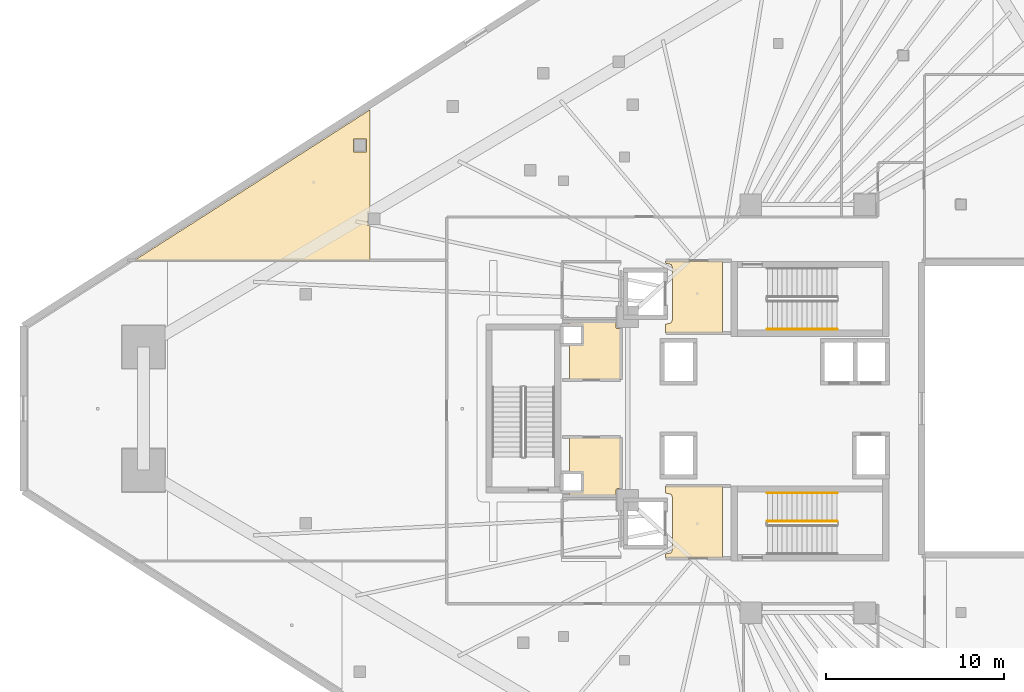
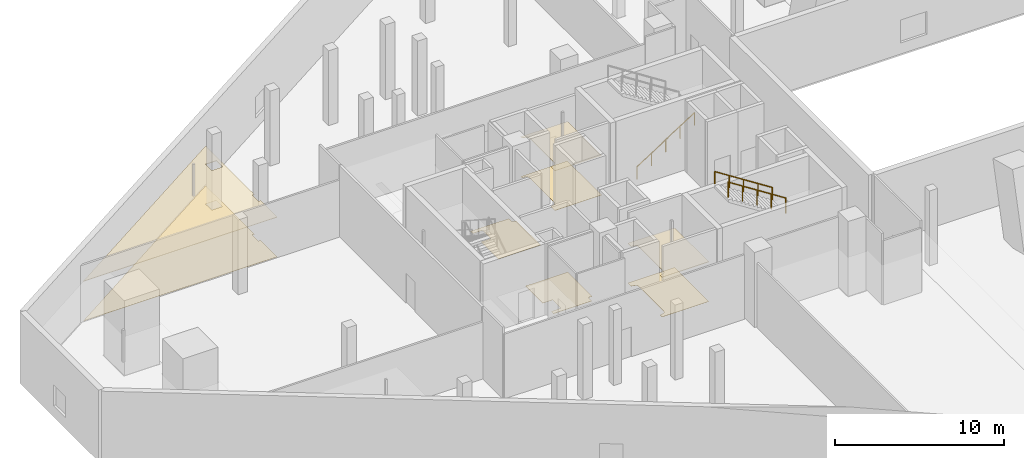
# One storey, part 43 of 47: 8 coverings, 3 railings.
"""IFC4 building model written with IfcOpenShell, lengths in metres."""

import ifcopenshell
import ifcopenshell.guid

model = None  # the IFC model being written
_history = None  # IfcOwnerHistory: only IFC2X3 demands one
_inside = {}  # id of a spatial element -> (the spatial element, [elements in it])
_under = {}  # id of a project, library or spatial element -> (it, [spatial elements below it])
_declared = {}  # id of a project -> (the project, [libraries it declares])
_typed = {}  # id of a type object -> (the type object, [elements of that type])
_made_of = {}  # id of a material, layer set ... -> (it, [elements and type objects made of it])


def new_model(schema):
    """Start an empty IFC model of exactly this schema.

    Asked for "IFC4X3", IfcOpenShell would pick the latest addendum, in which some entities
    have other attributes; the version numbers below select the first issue.
    IFC2X3 requires an IfcOwnerHistory on every rooted entity: one is made here for all.
    """
    global model, _history
    if schema == "IFC4X3":
        model = ifcopenshell.file(schema_version=(4, 3, 0, 0))
    else:
        model = ifcopenshell.file(schema=schema)
    _inside.clear()
    _under.clear()
    _declared.clear()
    _typed.clear()
    _made_of.clear()
    _history = None
    if model.schema == "IFC2X3":
        org = make("IfcOrganization", Name="unknown")
        user = make(
            "IfcPersonAndOrganization",
            ThePerson=make("IfcPerson", FamilyName="unknown"),
            TheOrganization=org,
        )
        app = make(
            "IfcApplication",
            ApplicationDeveloper=org,
            Version="unknown",
            ApplicationFullName="unknown",
            ApplicationIdentifier="unknown",
        )
        _history = make(
            "IfcOwnerHistory",
            OwningUser=user,
            OwningApplication=app,
            ChangeAction="ADDED",
            CreationDate=0,
        )
    return model


def make(cls, **values):
    """One entity of the class cls with the attributes given. An attribute that is None is left unset."""
    return model.create_entity(
        cls, **{name: value for name, value in values.items() if value is not None}
    )


def rooted(cls, **values):
    """An entity with a GlobalId (a new one), such as an element, a storey or a relation."""
    return make(cls, GlobalId=ifcopenshell.guid.new(), OwnerHistory=_history, **values)


def si_unit(unit_type, name, prefix=None):
    """IfcSIUnit, for example si_unit("LENGTHUNIT", "METRE", prefix="MILLI")."""
    return make("IfcSIUnit", UnitType=unit_type, Prefix=prefix, Name=name)


def assignment(units):
    """IfcUnitAssignment: the units of a project."""
    return None if units is None else make("IfcUnitAssignment", Units=units)


def point(xyz):
    """IfcCartesianPoint."""
    return None if xyz is None else make("IfcCartesianPoint", Coordinates=xyz)


def direction(xyz):
    """IfcDirection."""
    return None if xyz is None else make("IfcDirection", DirectionRatios=xyz)


def frame(location, z_axis=None, x_axis=None):
    """IfcAxis2Placement3D, a coordinate frame: its origin and axes. An axis left out is left unset."""
    return make(
        "IfcAxis2Placement3D",
        Location=point(location),
        Axis=direction(z_axis),
        RefDirection=direction(x_axis),
    )


def frame_2d(location, x_axis=None):
    """IfcAxis2Placement2D, a coordinate frame in the plane: its origin and x axis."""
    return make(
        "IfcAxis2Placement2D", Location=point(location), RefDirection=direction(x_axis)
    )


def origin():
    """The frame at (0, 0, 0) with its axes left unset."""
    return frame((0.0, 0.0, 0.0))


def origin_2d():
    """The frame at (0, 0) in the plane with its x axis left unset."""
    return frame_2d((0.0, 0.0))


def place(relative_to, where):
    """IfcLocalPlacement: puts the frame where relative to a parent placement (None: the world)."""
    return make(
        "IfcLocalPlacement", PlacementRelTo=relative_to, RelativePlacement=where
    )


def context(
    kind, dimensions, precision=None, world=None, true_north=None, identifier=None
):
    """IfcGeometricRepresentationContext, for example the 3D "Model" context."""
    return make(
        "IfcGeometricRepresentationContext",
        ContextIdentifier=identifier,
        ContextType=kind,
        CoordinateSpaceDimension=dimensions,
        Precision=precision,
        WorldCoordinateSystem=world,
        TrueNorth=true_north,
    )


def subcontext(parent, identifier, kind, view, scale=None):
    """IfcGeometricRepresentationSubContext, for example "Body" below "Model"."""
    return make(
        "IfcGeometricRepresentationSubContext",
        ContextIdentifier=identifier,
        ContextType=kind,
        ParentContext=parent,
        TargetScale=scale,
        TargetView=view,
    )


def project(units=None, contexts=None):
    """IfcProject with its units and contexts."""
    return rooted(
        "IfcProject",
        Name="project",
        RepresentationContexts=contexts,
        UnitsInContext=assignment(units),
    )


def spatial(cls, under=None, at=None, **own):
    """A site, building, storey or space (cls), placed at a placement, below another one or the project."""
    s = rooted(cls, ObjectPlacement=at, **own)
    if under is not None:
        _under.setdefault(under.id(), (under, []))[1].append(s)
    return s


def polyline(points):
    """IfcPolyline through the points."""
    return make("IfcPolyline", Points=[point(p) for p in points])


def profile(cls, at=None, kind="AREA", **sizes):
    """A parametric profile (cls). Its sizes go by their IFC names, for example OverallWidth=200.0."""
    return make(cls, ProfileType=kind, Position=at, **sizes)


def circle(**sizes):
    """IfcCircleProfileDef."""
    return profile("IfcCircleProfileDef", **sizes)


def outline(outer, holes=None, kind="AREA"):
    """IfcArbitraryClosedProfileDef: a profile drawn as a closed curve; with holes, ...WithVoids."""
    if holes is None:
        return make("IfcArbitraryClosedProfileDef", ProfileType=kind, OuterCurve=outer)
    return make(
        "IfcArbitraryProfileDefWithVoids",
        ProfileType=kind,
        OuterCurve=outer,
        InnerCurves=holes,
    )


def extrude(swept, where, along, depth):
    """IfcExtrudedAreaSolid: the profile swept, set in the frame where, extruded along a direction by depth."""
    return make(
        "IfcExtrudedAreaSolid",
        SweptArea=swept,
        Position=where,
        ExtrudedDirection=direction(along),
        Depth=depth,
    )


def shape(context_of_items, identifier, shape_type, items):
    """IfcShapeRepresentation: the items that make up one representation, for example the "Body"."""
    return make(
        "IfcShapeRepresentation",
        ContextOfItems=context_of_items,
        RepresentationIdentifier=identifier,
        RepresentationType=shape_type,
        Items=items,
    )


def material(Name=None, Category=None):
    """IfcMaterial."""
    return make("IfcMaterial", Name=Name, Category=Category)


def layer(
    of_material, thickness, ventilated=None, Name=None, Category=None, Priority=None
):
    """IfcMaterialLayer: one layer of a wall or slab, of a material (None: an air gap)."""
    return make(
        "IfcMaterialLayer",
        Material=of_material,
        LayerThickness=thickness,
        IsVentilated=ventilated,
        Name=Name,
        Category=Category,
        Priority=Priority,
    )


def layer_set(layers, Name=None):
    """IfcMaterialLayerSet."""
    return make("IfcMaterialLayerSet", MaterialLayers=layers, LayerSetName=Name)


def made_of(thing, what):
    """Note that an element or type object is made of a material, layer set ...; save() writes the relation."""
    if what is not None:
        _made_of.setdefault(what.id(), (what, []))[1].append(thing)
    return thing


def type_object(cls, material=None, **own):
    """A type object (cls), such as IfcWallType, which elements share."""
    return made_of(rooted(cls, **own), material)


def element(
    cls,
    number,
    at=None,
    inside=None,
    cuts=None,
    type_object=None,
    material=None,
    context=None,
    identifier="Body",
    shape_type=None,
    held_by="IfcProductDefinitionShape",
    body=None,
    shapes=None,
    **own,
):
    """One element of the class cls, such as IfcWall. Its Tag is "e" and its number.

    at: its placement. inside: the storey or other place that contains it. cuts: it is an
    opening in that element (IfcRelVoidsElement). A single representation is given by context,
    identifier, shape_type and body (its items); several are given by shapes. held_by: the class
    of the entity that holds the representations. save() writes the other relations.
    """
    e = rooted(cls, Tag="e%d" % number, ObjectPlacement=at, **own)
    if body is not None:
        shapes = [shape(context, identifier, shape_type, body)]
    if shapes is not None:
        e.Representation = make(held_by, Representations=shapes)
    if inside is not None:
        _inside.setdefault(inside.id(), (inside, []))[1].append(e)
    if cuts is not None:
        rooted(
            "IfcRelVoidsElement", RelatingBuildingElement=cuts, RelatedOpeningElement=e
        )
    if type_object is not None:
        _typed.setdefault(type_object.id(), (type_object, []))[1].append(e)
    return made_of(e, material)


def aggregate(whole, parts):
    """IfcRelAggregates: a whole, such as a stair, and the parts it consists of."""
    return rooted("IfcRelAggregates", RelatingObject=whole, RelatedObjects=parts)


def save(model, path):
    """Write the relations noted so far, then the file.

    IfcRelAggregates (storeys below a building ...), IfcRelContainedInSpatialStructure (elements
    in a storey), IfcRelDefinesByType, IfcRelAssociatesMaterial and IfcRelDeclares: one each for
    every whole, place, type object, material and project.
    """
    for whole, parts in _under.values():
        aggregate(whole, parts)
    for where, things in _inside.values():
        rooted(
            "IfcRelContainedInSpatialStructure",
            RelatedElements=things,
            RelatingStructure=where,
        )
    for kind, things in _typed.values():
        rooted("IfcRelDefinesByType", RelatedObjects=things, RelatingType=kind)
    for what, things in _made_of.values():
        rooted("IfcRelAssociatesMaterial", RelatedObjects=things, RelatingMaterial=what)
    for by, libraries in _declared.values():
        rooted("IfcRelDeclares", RelatingContext=by, RelatedDefinitions=libraries)
    model.write(path)


model = new_model("IFC4")

# Units and contexts
model_context = context("Model", 3, precision=1e-05, world=origin(), true_north=direction((0.0, 1.0)))
body_context = subcontext(model_context, "Body", "Model", "MODEL_VIEW")
ifc_project = project(units=[si_unit("LENGTHUNIT", "METRE"), si_unit("AREAUNIT", "SQUARE_METRE"), si_unit("VOLUMEUNIT", "CUBIC_METRE"), si_unit("PLANEANGLEUNIT", "RADIAN"), si_unit("MASSUNIT", "GRAM", prefix="KILO")], contexts=[model_context])

# Site, building, storey
site_placement = place(None, origin())
site = spatial("IfcSite", under=ifc_project, at=site_placement, CompositionType="ELEMENT")
building_placement = place(site_placement, origin())
building = spatial("IfcBuilding", under=site, at=building_placement, Name="Qorvath Tower", CompositionType="ELEMENT")
storey_placement = place(building_placement, frame((0.0, 0.0, 6.60009765625)))
storey = spatial("IfcBuildingStorey", under=building, at=storey_placement, Name="L01", CompositionType="ELEMENT", Elevation=6.60009765625)

# Coverings
ifc_material_1 = material(Name="Acoustic mineral fibre ceiling tile", Category="gypsum")
ifc_layer_1 = layer(ifc_material_1, 0.030029296875)
ifc_layer_set_1 = layer_set([ifc_layer_1], Name="COV-CEIL")
covering_type_1 = type_object("IfcCoveringType", Name="COV-CEIL", PredefinedType="CEILING", material=ifc_layer_set_1)
covering_1_placement = place(storey_placement, frame((0.0, 0.0, 2.849853515625)))
element("IfcCovering", 1, at=covering_1_placement, inside=storey, type_object=covering_type_1, Name="L01 Suspended Acoustic Ceiling 001", PredefinedType="CEILING", context=body_context, shape_type="SweptSolid", body=[
    extrude(outline(polyline([(-25.18994140625, 4.2548828125), (-25.18994140625, 8.294921875), (-28.375, 8.294921875), (-28.375, 8.159912109375), (-28.063232421875, 8.086669921875), (-27.989990234375, 7.909912109375), (-27.989990234375, 4.989990234375), (-28.063232421875, 4.813232421875), (-28.375, 4.739990234375), (-28.375, 4.2548828125), (-25.18994140625, 4.2548828125)])), origin(), (0.0, 0.0, 1.0), 0.030029296875),
])
covering_2_placement = place(storey_placement, frame((0.0, 0.0, 2.849853515625)))
element("IfcCovering", 2, at=covering_2_placement, inside=storey, type_object=covering_type_1, Name="L01 Suspended Acoustic Ceiling 002", PredefinedType="CEILING", context=body_context, shape_type="SweptSolid", body=[
    extrude(outline(polyline([(-25.18994140625, -8.39501953125), (-25.18994140625, -4.35498046875), (-28.375, -4.35498046875), (-28.375, -4.739990234375), (-28.063232421875, -4.813232421875), (-27.989990234375, -4.989990234375), (-27.989990234375, -7.909912109375), (-28.063232421875, -8.086669921875), (-28.375, -8.159912109375), (-28.375, -8.39501953125), (-25.18994140625, -8.39501953125)])), origin(), (0.0, 0.0, 1.0), 0.030029296875),
])
covering_3_placement = place(storey_placement, frame((0.0, 0.0, 2.849853515625)))
element("IfcCovering", 3, at=covering_3_placement, inside=storey, type_object=covering_type_1, Name="L01 Suspended Acoustic Ceiling 010", PredefinedType="CEILING", context=body_context, shape_type="SweptSolid", body=[
    extrude(outline(polyline([(-44.954345703125, 8.324951171875), (-44.954345703125, 10.284912109375), (-45.103759765625, 10.284912109375), (-45.103759765625, 11.019775390625), (-44.954345703125, 11.019775390625), (-44.954345703125, 16.774658203125), (-58.175048828125, 8.324951171875), (-44.954345703125, 8.324951171875)]), holes=[polyline([(-45.90380859375, 15.14208984375), (-45.1689453125, 15.14208984375), (-45.1689453125, 14.4072265625), (-45.90380859375, 14.4072265625), (-45.90380859375, 15.14208984375)])]), origin(), (0.0, 0.0, 1.0), 0.030029296875),
])
ifc_material_2 = material(Name="Low-VOC modular carpet tile", Category="textile")
ifc_layer_2 = layer(ifc_material_2, 0.014892578125)
ifc_layer_set_2 = layer_set([ifc_layer_2], Name="COV-FLOOR-CPT")
covering_type_2 = type_object("IfcCoveringType", Name="COV-FLOOR-CPT", PredefinedType="FLOORING", material=ifc_layer_set_2)
covering_4_placement = place(storey_placement, origin())
element("IfcCovering", 4, at=covering_4_placement, inside=storey, type_object=covering_type_2, Name="L01 Floor Finish 004", PredefinedType="FLOORING", context=body_context, shape_type="SweptSolid", body=[
    extrude(outline(polyline([(-31.159912109375, 4.89501953125), (-33.760009765625, 4.89501953125), (-33.760009765625, 4.633056640625), (-33.08837890625, 4.631591796875), (-33.0869140625, 3.64208984375), (-33.760009765625, 3.636962890625), (-33.760009765625, 1.60498046875), (-30.885009765625, 1.60498046875), (-30.885009765625, 4.489990234375), (-31.10009765625, 4.489990234375), (-31.159912109375, 4.550048828125), (-31.159912109375, 4.89501953125)])), origin(), (0.0, 0.0, 1.0), 0.014892578125),
])
covering_5_placement = place(storey_placement, origin())
element("IfcCovering", 5, at=covering_5_placement, inside=storey, type_object=covering_type_2, Name="L01 Floor Finish 006", PredefinedType="FLOORING", context=body_context, shape_type="SweptSolid", body=[
    extrude(outline(polyline([(-30.885009765625, -4.489990234375), (-30.885009765625, -1.60498046875), (-33.760009765625, -1.60498046875), (-33.760009765625, -3.636962890625), (-33.08837890625, -3.638427734375), (-33.0869140625, -4.6279296875), (-33.760009765625, -4.633056640625), (-33.760009765625, -4.89501953125), (-31.159912109375, -4.89501953125), (-31.159912109375, -4.550048828125), (-31.10009765625, -4.489990234375), (-30.885009765625, -4.489990234375)])), origin(), (0.0, 0.0, 1.0), 0.014892578125),
])
covering_6_placement = place(storey_placement, origin())
element("IfcCovering", 6, at=covering_6_placement, inside=storey, type_object=covering_type_2, Name="L01 Floor Finish 010", PredefinedType="FLOORING", context=body_context, shape_type="SweptSolid", body=[
    extrude(outline(polyline([(-44.954345703125, 8.324951171875), (-44.954345703125, 10.284912109375), (-45.103759765625, 10.284912109375), (-45.103759765625, 11.019775390625), (-44.954345703125, 11.019775390625), (-44.954345703125, 16.774658203125), (-58.175048828125, 8.324951171875), (-44.954345703125, 8.324951171875)]), holes=[polyline([(-45.90380859375, 15.14208984375), (-45.1689453125, 15.14208984375), (-45.1689453125, 14.4072265625), (-45.90380859375, 14.4072265625), (-45.90380859375, 15.14208984375)])]), origin(), (0.0, 0.0, 1.0), 0.014892578125),
])
ifc_material_3 = material(Name="Polished epoxy terrazzo flooring", Category="concrete")
ifc_layer_3 = layer(ifc_material_3, 0.02001953125)
ifc_layer_set_3 = layer_set([ifc_layer_3], Name="COV-FLOOR-TRZ")
covering_type_3 = type_object("IfcCoveringType", Name="COV-FLOOR-TRZ", PredefinedType="FLOORING", material=ifc_layer_set_3)
covering_7_placement = place(storey_placement, origin())
element("IfcCovering", 7, at=covering_7_placement, inside=storey, type_object=covering_type_3, Name="L01 Floor Finish 001", PredefinedType="FLOORING", context=body_context, shape_type="SweptSolid", body=[
    extrude(outline(polyline([(-25.18994140625, 4.2548828125), (-25.18994140625, 8.294921875), (-28.375, 8.294921875), (-28.375, 8.159912109375), (-28.063232421875, 8.086669921875), (-27.989990234375, 7.909912109375), (-27.989990234375, 4.989990234375), (-28.063232421875, 4.813232421875), (-28.375, 4.739990234375), (-28.375, 4.2548828125), (-25.18994140625, 4.2548828125)])), origin(), (0.0, 0.0, 1.0), 0.014892578125),
])
covering_8_placement = place(storey_placement, origin())
element("IfcCovering", 8, at=covering_8_placement, inside=storey, type_object=covering_type_3, Name="L01 Floor Finish 002", PredefinedType="FLOORING", context=body_context, shape_type="SweptSolid", body=[
    extrude(outline(polyline([(-25.18994140625, -8.39501953125), (-25.18994140625, -4.35498046875), (-28.375, -4.35498046875), (-28.375, -4.739990234375), (-28.063232421875, -4.813232421875), (-27.989990234375, -4.989990234375), (-27.989990234375, -7.909912109375), (-28.063232421875, -8.086669921875), (-28.375, -8.159912109375), (-28.375, -8.39501953125), (-25.18994140625, -8.39501953125)])), origin(), (0.0, 0.0, 1.0), 0.014892578125),
])

# Railings
ifc_material_4 = material(Name="Painted galvanised steel", Category="steel")
railing_type_1 = type_object("IfcRailingType", Name="RL-STR-GRD", PredefinedType="GUARDRAIL", material=ifc_material_4)
railing_1_placement = place(storey_placement, frame((-18.75, -6.320068359375, 2.8798828125)))
element("IfcRailing", 9, at=railing_1_placement, inside=storey, type_object=railing_type_1, Name="L01 TS2 stair guard 3", PredefinedType="GUARDRAIL", context=body_context, shape_type="SweptSolid", body=[
    extrude(circle(Radius=0.02392578125, at=origin_2d()), frame((0.0, 0.0, 1.076171875), z_axis=(-0.841171666519, 0.0, 0.540768182723), x_axis=(0.0, -1.0, 0.0)), (0.0, 0.0, 1.0), 4.66015625),
    extrude(circle(Radius=0.02099609375, at=origin_2d()), origin(), (0.0, 0.0, 1.0), 1.052001953125),
    extrude(circle(Radius=0.02099609375, at=origin_2d()), frame((-0.97998046875, 0.0, 0.6298828125)), (0.0, 0.0, 1.0), 1.052001953125),
    extrude(circle(Radius=0.02099609375, at=origin_2d()), frame((-1.9599609375, 0.0, 1.260009765625)), (0.0, 0.0, 1.0), 1.052001953125),
    extrude(circle(Radius=0.02099609375, at=origin_2d()), frame((-2.93994140625, 0.0, 1.89013671875)), (0.0, 0.0, 1.0), 1.052001953125),
    extrude(circle(Radius=0.02099609375, at=origin_2d()), frame((-3.919921875, 0.0, 2.52001953125)), (0.0, 0.0, 1.0), 1.052001953125),
])
ifc_material_5 = material(Name="Brushed stainless steel AISI 304", Category="steel")
railing_type_2 = type_object("IfcRailingType", Name="RL-STR-HND", PredefinedType="HANDRAIL", material=ifc_material_5)
railing_2_placement = place(storey_placement, frame((-22.669921875, 4.449951171875, 0.179931640625)))
element("IfcRailing", 10, at=railing_2_placement, inside=storey, type_object=railing_type_2, Name="L01 TS1 stair handrail 1", PredefinedType="HANDRAIL", context=body_context, shape_type="SweptSolid", body=[
    extrude(circle(Radius=0.02392578125, at=origin_2d()), frame((0.0, 0.0, 0.8759765625), z_axis=(0.841171666519, 0.0, 0.540768182723), x_axis=(0.0, 1.0, 0.0)), (0.0, 0.0, 1.0), 4.66015625),
    extrude(circle(Radius=0.02099609375, at=origin_2d()), origin(), (0.0, 0.0, 1.0), 0.851806640625),
    extrude(circle(Radius=0.02099609375, at=origin_2d()), frame((0.97998046875, 0.0, 0.6298828125)), (0.0, 0.0, 1.0), 0.851806640625),
    extrude(circle(Radius=0.02099609375, at=origin_2d()), frame((1.9599609375, 0.0, 1.260009765625)), (0.0, 0.0, 1.0), 0.851806640625),
    extrude(circle(Radius=0.02099609375, at=origin_2d()), frame((2.93994140625, 0.0, 1.89013671875)), (0.0, 0.0, 1.0), 0.851806640625),
    extrude(circle(Radius=0.02099609375, at=origin_2d()), frame((3.919921875, 0.0, 2.52001953125)), (0.0, 0.0, 1.0), 0.851806640625),
])
railing_3_placement = place(storey_placement, frame((-18.75, -4.739990234375, 2.8798828125)))
element("IfcRailing", 11, at=railing_3_placement, inside=storey, type_object=railing_type_2, Name="L01 TS2 stair handrail 2", PredefinedType="HANDRAIL", context=body_context, shape_type="SweptSolid", body=[
    extrude(circle(Radius=0.02392578125, at=origin_2d()), frame((0.0, 0.0, 0.8759765625), z_axis=(-0.841171666519, 0.0, 0.540768182723), x_axis=(0.0, -1.0, 0.0)), (0.0, 0.0, 1.0), 4.66015625),
    extrude(circle(Radius=0.02099609375, at=origin_2d()), origin(), (0.0, 0.0, 1.0), 0.851806640625),
    extrude(circle(Radius=0.02099609375, at=origin_2d()), frame((-0.97998046875, 0.0, 0.6298828125)), (0.0, 0.0, 1.0), 0.851806640625),
    extrude(circle(Radius=0.02099609375, at=origin_2d()), frame((-1.9599609375, 0.0, 1.260009765625)), (0.0, 0.0, 1.0), 0.851806640625),
    extrude(circle(Radius=0.02099609375, at=origin_2d()), frame((-2.93994140625, 0.0, 1.89013671875)), (0.0, 0.0, 1.0), 0.851806640625),
    extrude(circle(Radius=0.02099609375, at=origin_2d()), frame((-3.919921875, 0.0, 2.52001953125)), (0.0, 0.0, 1.0), 0.851806640625),
])

save(model, "model.ifc")
